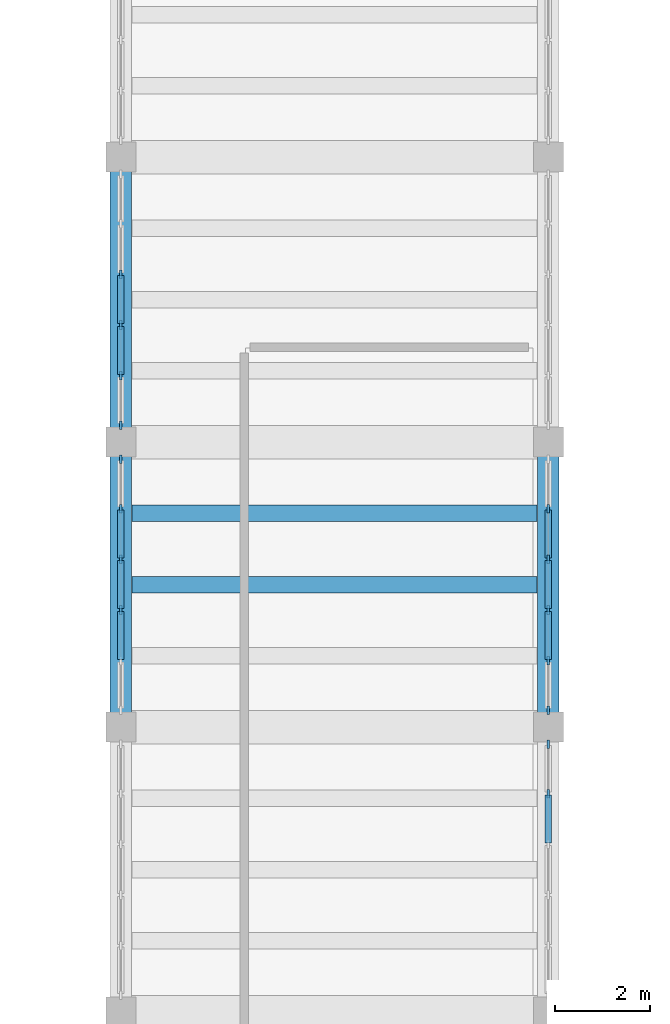
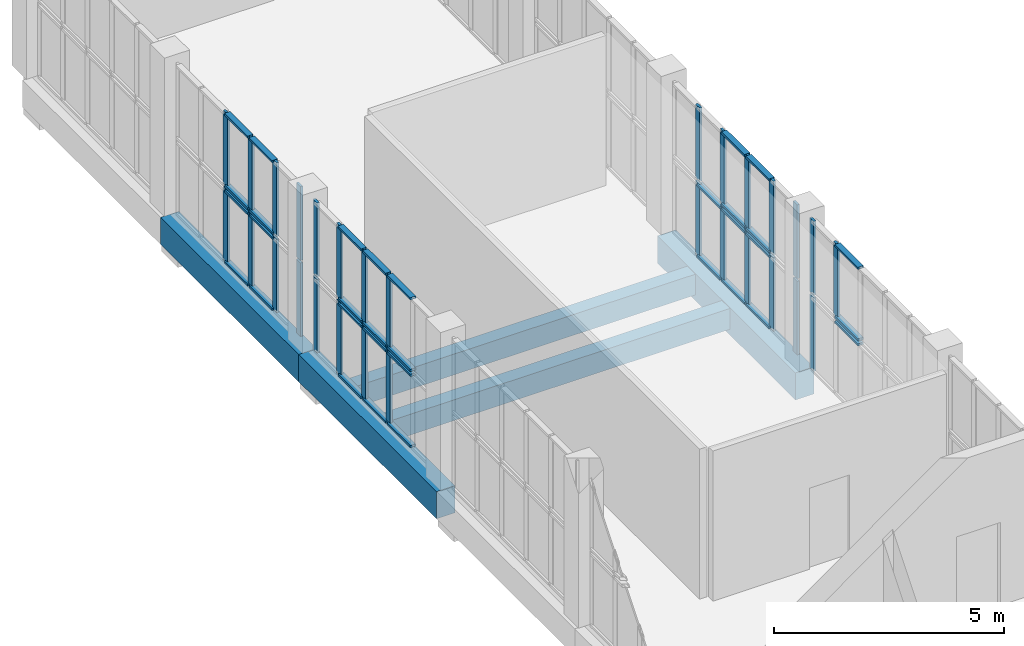
# One storey, part 6 of 85: 62 members, 5 beams, 8 elements without a shape of their own.
"""IFC4 building model written with IfcOpenShell, lengths in metres."""

from ifc_helpers import new_model, si_unit, direction, frame, origin, origin_2d, place, context, subcontext, project, spatial, rectangle, extrude, material, layer, layer_set, material_profile, profile_set, type_object, element, aggregate, save


model = new_model("IFC4")

# Units and contexts
model_context = context("Model", 3, precision=1e-05, world=origin(), true_north=direction((0.0, 1.0)))
body_context = subcontext(model_context, "Body", "Model", "MODEL_VIEW")
ifc_project = project(units=[si_unit("LENGTHUNIT", "METRE"), si_unit("AREAUNIT", "SQUARE_METRE"), si_unit("VOLUMEUNIT", "CUBIC_METRE"), si_unit("PLANEANGLEUNIT", "RADIAN"), si_unit("MASSUNIT", "GRAM", prefix="KILO")], contexts=[model_context])

# Site, building, storey
site_placement = place(None, origin())
site = spatial("IfcSite", under=ifc_project, at=site_placement, CompositionType="ELEMENT")
building_placement = place(site_placement, origin())
building = spatial("IfcBuilding", under=site, at=building_placement, Name="Solvane Community Centre", CompositionType="ELEMENT")
storey_placement = place(building_placement, frame((0.0, 0.0, 5.39990234375)))
storey = spatial("IfcBuildingStorey", under=building, at=storey_placement, Name="L01", CompositionType="ELEMENT", Elevation=5.39990234375)

# Curtain wall, member
ifc_material_1 = material(Name="Anodised bronze aluminium AW-6063 T6", Category="aluminium")
ifc_layer_1 = layer(ifc_material_1, 0.179931640625)
ifc_layer_set_1 = layer_set([ifc_layer_1], Name="Anodised bronze aluminium AW-6063 T6")
curtain_wall_type_1 = type_object("IfcCurtainWallType", Name="Hall Translucent Upper Curtain Wall [53x19dm]", PredefinedType="NOTDEFINED", material=ifc_layer_set_1)
curtain_wall_1_placement = place(storey_placement, origin())
curtain_wall_1 = element("IfcCurtainWall", 1, at=curtain_wall_1_placement, inside=storey, type_object=curtain_wall_type_1, Name="Curtain Wall CW-L01-360_543-043", PredefinedType="NOTDEFINED")
ifc_material_profile_1 = material_profile(ifc_material_1, rectangle(XDim=0.06005859375, YDim=0.179931640625, at=origin_2d()), Name="CW-M 60x180")
ifc_profile_set_1 = profile_set([ifc_material_profile_1], Name="Anodised bronze aluminium AW-6063 T6")
member_type_1 = type_object("IfcMemberType", Name="Hall Mullion 60x180", PredefinedType="MULLION", material=ifc_profile_set_1)
member_1_placement = place(storey_placement, frame((36.0, 59.639892578125, 0.0), z_axis=(0.0, 0.0, 1.0), x_axis=(-1.0, 0.0, 0.0)))
member_1 = element("IfcMember", 2, at=member_1_placement, type_object=member_type_1, Name="CW01-53x19 mullion 6", PredefinedType="MULLION", context=body_context, shape_type="SweptSolid", body=[
    extrude(rectangle(XDim=0.06005859375, YDim=0.179931640625, at=origin_2d()), origin(), (0.0, 0.0, 1.0), 1.9501953125),
])

# Curtain wall, members
ifc_layer_2 = layer(ifc_material_1, 0.179931640625)
ifc_layer_set_2 = layer_set([ifc_layer_2], Name="Anodised bronze aluminium AW-6063 T6")
curtain_wall_type_2 = type_object("IfcCurtainWallType", Name="Hall Translucent Upper Curtain Wall [53x20dm]", PredefinedType="NOTDEFINED", material=ifc_layer_set_2)
curtain_wall_2_placement = place(storey_placement, origin())
curtain_wall_2 = element("IfcCurtainWall", 3, at=curtain_wall_2_placement, inside=storey, type_object=curtain_wall_type_2, Name="Curtain Wall CW-L01-360_543-044", PredefinedType="NOTDEFINED")
member_2_placement = place(storey_placement, frame((36.0, 58.60205078125, 2.02001953125), z_axis=(0.0, 0.0, 1.0), x_axis=(-1.0, 0.0, 0.0)))
member_2 = element("IfcMember", 4, at=member_2_placement, type_object=member_type_1, Name="CW01-53x20 mullion 5", PredefinedType="MULLION", context=body_context, shape_type="SweptSolid", body=[
    extrude(rectangle(XDim=0.06005859375, YDim=0.179931640625, at=origin_2d()), origin(), (0.0, 0.0, 1.0), 1.9599609375),
])
member_3_placement = place(storey_placement, frame((36.0, 59.639892578125, 2.02001953125), z_axis=(0.0, 0.0, 1.0), x_axis=(-1.0, 0.0, 0.0)))
member_3 = element("IfcMember", 5, at=member_3_placement, type_object=member_type_1, Name="CW01-53x20 mullion 6", PredefinedType="MULLION", context=body_context, shape_type="SweptSolid", body=[
    extrude(rectangle(XDim=0.06005859375, YDim=0.179931640625, at=origin_2d()), origin(), (0.0, 0.0, 1.0), 1.9599609375),
])

curtain_wall_3_placement = place(storey_placement, origin())
curtain_wall_3 = element("IfcCurtainWall", 6, at=curtain_wall_3_placement, inside=storey, type_object=curtain_wall_type_1, Name="Curtain Wall CW-L01-360_603-049", PredefinedType="NOTDEFINED")
member_4_placement = place(storey_placement, frame((36.0, 60.360107421875, 0.0), z_axis=(0.0, 0.0, 1.0), x_axis=(-1.0, 0.0, 0.0)))
member_4 = element("IfcMember", 7, at=member_4_placement, type_object=member_type_1, Name="CW01-53x19 mullion 1", PredefinedType="MULLION", context=body_context, shape_type="SweptSolid", body=[
    extrude(rectangle(XDim=0.06005859375, YDim=0.179931640625, at=origin_2d()), origin(), (0.0, 0.0, 1.0), 1.9501953125),
])
member_5_placement = place(storey_placement, frame((36.0, 61.39794921875, 0.0), z_axis=(0.0, 0.0, 1.0), x_axis=(-1.0, 0.0, 0.0)))
member_5 = element("IfcMember", 8, at=member_5_placement, type_object=member_type_1, Name="CW01-53x19 mullion 2", PredefinedType="MULLION", context=body_context, shape_type="SweptSolid", body=[
    extrude(rectangle(XDim=0.06005859375, YDim=0.179931640625, at=origin_2d()), origin(), (0.0, 0.0, 1.0), 1.9501953125),
])
member_6_placement = place(storey_placement, frame((36.0, 62.466064453125, 0.0), z_axis=(0.0, 0.0, 1.0), x_axis=(-1.0, 0.0, 0.0)))
member_6 = element("IfcMember", 9, at=member_6_placement, type_object=member_type_1, Name="CW01-53x19 mullion 3", PredefinedType="MULLION", context=body_context, shape_type="SweptSolid", body=[
    extrude(rectangle(XDim=0.06005859375, YDim=0.179931640625, at=origin_2d()), origin(), (0.0, 0.0, 1.0), 1.9501953125),
])
member_7_placement = place(storey_placement, frame((36.0, 63.533935546875, 0.0), z_axis=(0.0, 0.0, 1.0), x_axis=(-1.0, 0.0, 0.0)))
member_7 = element("IfcMember", 10, at=member_7_placement, type_object=member_type_1, Name="CW01-53x19 mullion 4", PredefinedType="MULLION", context=body_context, shape_type="SweptSolid", body=[
    extrude(rectangle(XDim=0.06005859375, YDim=0.179931640625, at=origin_2d()), origin(), (0.0, 0.0, 1.0), 1.9501953125),
])
member_8_placement = place(storey_placement, frame((36.0, 64.60205078125, 0.0), z_axis=(0.0, 0.0, 1.0), x_axis=(-1.0, 0.0, 0.0)))
member_8 = element("IfcMember", 11, at=member_8_placement, type_object=member_type_1, Name="CW01-53x19 mullion 5", PredefinedType="MULLION", context=body_context, shape_type="SweptSolid", body=[
    extrude(rectangle(XDim=0.06005859375, YDim=0.179931640625, at=origin_2d()), origin(), (0.0, 0.0, 1.0), 1.9501953125),
])

curtain_wall_4_placement = place(storey_placement, origin())
curtain_wall_4 = element("IfcCurtainWall", 12, at=curtain_wall_4_placement, inside=storey, type_object=curtain_wall_type_2, Name="Curtain Wall CW-L01-360_603-050", PredefinedType="NOTDEFINED")
member_9_placement = place(storey_placement, frame((36.0, 60.360107421875, 2.02001953125), z_axis=(0.0, 0.0, 1.0), x_axis=(-1.0, 0.0, 0.0)))
member_9 = element("IfcMember", 13, at=member_9_placement, type_object=member_type_1, Name="CW01-53x20 mullion 1", PredefinedType="MULLION", context=body_context, shape_type="SweptSolid", body=[
    extrude(rectangle(XDim=0.06005859375, YDim=0.179931640625, at=origin_2d()), origin(), (0.0, 0.0, 1.0), 1.9599609375),
])
member_10_placement = place(storey_placement, frame((36.0, 61.39794921875, 2.02001953125), z_axis=(0.0, 0.0, 1.0), x_axis=(-1.0, 0.0, 0.0)))
member_10 = element("IfcMember", 14, at=member_10_placement, type_object=member_type_1, Name="CW01-53x20 mullion 2", PredefinedType="MULLION", context=body_context, shape_type="SweptSolid", body=[
    extrude(rectangle(XDim=0.06005859375, YDim=0.179931640625, at=origin_2d()), origin(), (0.0, 0.0, 1.0), 1.9599609375),
])
member_11_placement = place(storey_placement, frame((36.0, 62.466064453125, 2.02001953125), z_axis=(0.0, 0.0, 1.0), x_axis=(-1.0, 0.0, 0.0)))
member_11 = element("IfcMember", 15, at=member_11_placement, type_object=member_type_1, Name="CW01-53x20 mullion 3", PredefinedType="MULLION", context=body_context, shape_type="SweptSolid", body=[
    extrude(rectangle(XDim=0.06005859375, YDim=0.179931640625, at=origin_2d()), origin(), (0.0, 0.0, 1.0), 1.9599609375),
])
member_12_placement = place(storey_placement, frame((36.0, 63.533935546875, 2.02001953125), z_axis=(0.0, 0.0, 1.0), x_axis=(-1.0, 0.0, 0.0)))
member_12 = element("IfcMember", 16, at=member_12_placement, type_object=member_type_1, Name="CW01-53x20 mullion 4", PredefinedType="MULLION", context=body_context, shape_type="SweptSolid", body=[
    extrude(rectangle(XDim=0.06005859375, YDim=0.179931640625, at=origin_2d()), origin(), (0.0, 0.0, 1.0), 1.9599609375),
])
member_13_placement = place(storey_placement, frame((36.0, 64.60205078125, 2.02001953125), z_axis=(0.0, 0.0, 1.0), x_axis=(-1.0, 0.0, 0.0)))
member_13 = element("IfcMember", 17, at=member_13_placement, type_object=member_type_1, Name="CW01-53x20 mullion 5", PredefinedType="MULLION", context=body_context, shape_type="SweptSolid", body=[
    extrude(rectangle(XDim=0.06005859375, YDim=0.179931640625, at=origin_2d()), origin(), (0.0, 0.0, 1.0), 1.9599609375),
])

curtain_wall_5_placement = place(storey_placement, origin())
curtain_wall_5 = element("IfcCurtainWall", 18, at=curtain_wall_5_placement, inside=storey, type_object=curtain_wall_type_1, Name="Curtain Wall CW-L01-270_657-055", PredefinedType="NOTDEFINED")
member_14_placement = place(storey_placement, frame((27.0, 65.639892578125, 0.0), z_axis=(0.0, 0.0, 1.0), x_axis=(1.0, 0.0, 0.0)))
member_14 = element("IfcMember", 19, at=member_14_placement, type_object=member_type_1, Name="CW01-53x19 mullion 1", PredefinedType="MULLION", context=body_context, shape_type="SweptSolid", body=[
    extrude(rectangle(XDim=0.06005859375, YDim=0.179931640625, at=origin_2d()), origin(), (0.0, 0.0, 1.0), 1.9501953125),
])
member_15_placement = place(storey_placement, frame((27.0, 64.60205078125, 0.0), z_axis=(0.0, 0.0, 1.0), x_axis=(1.0, 0.0, 0.0)))
member_15 = element("IfcMember", 20, at=member_15_placement, type_object=member_type_1, Name="CW01-53x19 mullion 2", PredefinedType="MULLION", context=body_context, shape_type="SweptSolid", body=[
    extrude(rectangle(XDim=0.06005859375, YDim=0.179931640625, at=origin_2d()), origin(), (0.0, 0.0, 1.0), 1.9501953125),
])
member_16_placement = place(storey_placement, frame((27.0, 63.533935546875, 0.0), z_axis=(0.0, 0.0, 1.0), x_axis=(1.0, 0.0, 0.0)))
member_16 = element("IfcMember", 21, at=member_16_placement, type_object=member_type_1, Name="CW01-53x19 mullion 3", PredefinedType="MULLION", context=body_context, shape_type="SweptSolid", body=[
    extrude(rectangle(XDim=0.06005859375, YDim=0.179931640625, at=origin_2d()), origin(), (0.0, 0.0, 1.0), 1.9501953125),
])
member_17_placement = place(storey_placement, frame((27.0, 62.466064453125, 0.0), z_axis=(0.0, 0.0, 1.0), x_axis=(1.0, 0.0, 0.0)))
member_17 = element("IfcMember", 22, at=member_17_placement, type_object=member_type_1, Name="CW01-53x19 mullion 4", PredefinedType="MULLION", context=body_context, shape_type="SweptSolid", body=[
    extrude(rectangle(XDim=0.06005859375, YDim=0.179931640625, at=origin_2d()), origin(), (0.0, 0.0, 1.0), 1.9501953125),
])

curtain_wall_6_placement = place(storey_placement, origin())
curtain_wall_6 = element("IfcCurtainWall", 23, at=curtain_wall_6_placement, inside=storey, type_object=curtain_wall_type_2, Name="Curtain Wall CW-L01-270_657-056", PredefinedType="NOTDEFINED")
member_18_placement = place(storey_placement, frame((27.0, 65.639892578125, 2.02001953125), z_axis=(0.0, 0.0, 1.0), x_axis=(1.0, 0.0, 0.0)))
member_18 = element("IfcMember", 24, at=member_18_placement, type_object=member_type_1, Name="CW01-53x20 mullion 1", PredefinedType="MULLION", context=body_context, shape_type="SweptSolid", body=[
    extrude(rectangle(XDim=0.06005859375, YDim=0.179931640625, at=origin_2d()), origin(), (0.0, 0.0, 1.0), 1.9599609375),
])
member_19_placement = place(storey_placement, frame((27.0, 64.60205078125, 2.02001953125), z_axis=(0.0, 0.0, 1.0), x_axis=(1.0, 0.0, 0.0)))
member_19 = element("IfcMember", 25, at=member_19_placement, type_object=member_type_1, Name="CW01-53x20 mullion 2", PredefinedType="MULLION", context=body_context, shape_type="SweptSolid", body=[
    extrude(rectangle(XDim=0.06005859375, YDim=0.179931640625, at=origin_2d()), origin(), (0.0, 0.0, 1.0), 1.9599609375),
])
member_20_placement = place(storey_placement, frame((27.0, 63.533935546875, 2.02001953125), z_axis=(0.0, 0.0, 1.0), x_axis=(1.0, 0.0, 0.0)))
member_20 = element("IfcMember", 26, at=member_20_placement, type_object=member_type_1, Name="CW01-53x20 mullion 3", PredefinedType="MULLION", context=body_context, shape_type="SweptSolid", body=[
    extrude(rectangle(XDim=0.06005859375, YDim=0.179931640625, at=origin_2d()), origin(), (0.0, 0.0, 1.0), 1.9599609375),
])
member_21_placement = place(storey_placement, frame((27.0, 62.466064453125, 2.02001953125), z_axis=(0.0, 0.0, 1.0), x_axis=(1.0, 0.0, 0.0)))
member_21 = element("IfcMember", 27, at=member_21_placement, type_object=member_type_1, Name="CW01-53x20 mullion 4", PredefinedType="MULLION", context=body_context, shape_type="SweptSolid", body=[
    extrude(rectangle(XDim=0.06005859375, YDim=0.179931640625, at=origin_2d()), origin(), (0.0, 0.0, 1.0), 1.9599609375),
])

curtain_wall_7_placement = place(storey_placement, origin())
curtain_wall_7 = element("IfcCurtainWall", 28, at=curtain_wall_7_placement, inside=storey, type_object=curtain_wall_type_1, Name="Curtain Wall CW-L01-270_717-063", PredefinedType="NOTDEFINED")
member_22_placement = place(storey_placement, frame((27.0, 69.533935546875, 0.0), z_axis=(0.0, 0.0, 1.0), x_axis=(1.0, 0.0, 0.0)))
member_22 = element("IfcMember", 29, at=member_22_placement, type_object=member_type_1, Name="CW01-53x19 mullion 3", PredefinedType="MULLION", context=body_context, shape_type="SweptSolid", body=[
    extrude(rectangle(XDim=0.06005859375, YDim=0.179931640625, at=origin_2d()), origin(), (0.0, 0.0, 1.0), 1.9501953125),
])
member_23_placement = place(storey_placement, frame((27.0, 68.466064453125, 0.0), z_axis=(0.0, 0.0, 1.0), x_axis=(1.0, 0.0, 0.0)))
member_23 = element("IfcMember", 30, at=member_23_placement, type_object=member_type_1, Name="CW01-53x19 mullion 4", PredefinedType="MULLION", context=body_context, shape_type="SweptSolid", body=[
    extrude(rectangle(XDim=0.06005859375, YDim=0.179931640625, at=origin_2d()), origin(), (0.0, 0.0, 1.0), 1.9501953125),
])
member_24_placement = place(storey_placement, frame((27.0, 67.39794921875, 0.0), z_axis=(0.0, 0.0, 1.0), x_axis=(1.0, 0.0, 0.0)))
member_24 = element("IfcMember", 31, at=member_24_placement, type_object=member_type_1, Name="CW01-53x19 mullion 5", PredefinedType="MULLION", context=body_context, shape_type="SweptSolid", body=[
    extrude(rectangle(XDim=0.06005859375, YDim=0.179931640625, at=origin_2d()), origin(), (0.0, 0.0, 1.0), 1.9501953125),
])
member_25_placement = place(storey_placement, frame((27.0, 66.360107421875, 0.0), z_axis=(0.0, 0.0, 1.0), x_axis=(1.0, 0.0, 0.0)))
member_25 = element("IfcMember", 32, at=member_25_placement, type_object=member_type_1, Name="CW01-53x19 mullion 6", PredefinedType="MULLION", context=body_context, shape_type="SweptSolid", body=[
    extrude(rectangle(XDim=0.06005859375, YDim=0.179931640625, at=origin_2d()), origin(), (0.0, 0.0, 1.0), 1.9501953125),
])

curtain_wall_8_placement = place(storey_placement, origin())
curtain_wall_8 = element("IfcCurtainWall", 33, at=curtain_wall_8_placement, inside=storey, type_object=curtain_wall_type_2, Name="Curtain Wall CW-L01-270_717-064", PredefinedType="NOTDEFINED")
member_26_placement = place(storey_placement, frame((27.0, 69.533935546875, 2.02001953125), z_axis=(0.0, 0.0, 1.0), x_axis=(1.0, 0.0, 0.0)))
member_26 = element("IfcMember", 34, at=member_26_placement, type_object=member_type_1, Name="CW01-53x20 mullion 3", PredefinedType="MULLION", context=body_context, shape_type="SweptSolid", body=[
    extrude(rectangle(XDim=0.06005859375, YDim=0.179931640625, at=origin_2d()), origin(), (0.0, 0.0, 1.0), 1.9599609375),
])
member_27_placement = place(storey_placement, frame((27.0, 68.466064453125, 2.02001953125), z_axis=(0.0, 0.0, 1.0), x_axis=(1.0, 0.0, 0.0)))
member_27 = element("IfcMember", 35, at=member_27_placement, type_object=member_type_1, Name="CW01-53x20 mullion 4", PredefinedType="MULLION", context=body_context, shape_type="SweptSolid", body=[
    extrude(rectangle(XDim=0.06005859375, YDim=0.179931640625, at=origin_2d()), origin(), (0.0, 0.0, 1.0), 1.9599609375),
])
member_28_placement = place(storey_placement, frame((27.0, 67.39794921875, 2.02001953125), z_axis=(0.0, 0.0, 1.0), x_axis=(1.0, 0.0, 0.0)))
member_28 = element("IfcMember", 36, at=member_28_placement, type_object=member_type_1, Name="CW01-53x20 mullion 5", PredefinedType="MULLION", context=body_context, shape_type="SweptSolid", body=[
    extrude(rectangle(XDim=0.06005859375, YDim=0.179931640625, at=origin_2d()), origin(), (0.0, 0.0, 1.0), 1.9599609375),
])
member_29_placement = place(storey_placement, frame((27.0, 66.360107421875, 2.02001953125), z_axis=(0.0, 0.0, 1.0), x_axis=(1.0, 0.0, 0.0)))
member_29 = element("IfcMember", 37, at=member_29_placement, type_object=member_type_1, Name="CW01-53x20 mullion 6", PredefinedType="MULLION", context=body_context, shape_type="SweptSolid", body=[
    extrude(rectangle(XDim=0.06005859375, YDim=0.179931640625, at=origin_2d()), origin(), (0.0, 0.0, 1.0), 1.9599609375),
])

# Member
ifc_material_profile_2 = material_profile(ifc_material_1, rectangle(XDim=0.139892578125, YDim=0.06005859375, at=origin_2d()), Name="CW-T 60x140")
ifc_profile_set_2 = profile_set([ifc_material_profile_2], Name="Anodised bronze aluminium AW-6063 T6")
member_type_2 = type_object("IfcMemberType", Name="Hall Transom 60x140", PredefinedType="USERDEFINED", material=ifc_profile_set_2)
member_30_placement = place(storey_placement, frame((36.0, 57.56396484375, 1.920166015625), z_axis=(0.0, 1.0, 0.0), x_axis=(-1.0, 0.0, 0.0)))
member_30 = element("IfcMember", 38, at=member_30_placement, type_object=member_type_2, Name="CW01-53x19 transom 4.2", ObjectType="TRANSOM", PredefinedType="USERDEFINED", context=body_context, shape_type="SweptSolid", body=[
    extrude(rectangle(XDim=0.139892578125, YDim=0.06005859375, at=origin_2d()), origin(), (0.0, 0.0, 1.0), 1.008056640625),
])

aggregate(curtain_wall_1, [member_1, member_30])

member_31_placement = place(storey_placement, frame((36.0, 57.56396484375, 2.050048828125), z_axis=(0.0, 1.0, 0.0), x_axis=(-1.0, 0.0, 0.0)))
member_31 = element("IfcMember", 39, at=member_31_placement, type_object=member_type_2, Name="CW01-53x20 transom 4.1", ObjectType="TRANSOM", PredefinedType="USERDEFINED", context=body_context, shape_type="SweptSolid", body=[
    extrude(rectangle(XDim=0.139892578125, YDim=0.06005859375, at=origin_2d()), origin(), (0.0, 0.0, 1.0), 1.008056640625),
])

member_32_placement = place(storey_placement, frame((36.0, 57.56396484375, 3.9501953125), z_axis=(0.0, 1.0, 0.0), x_axis=(-1.0, 0.0, 0.0)))
member_32 = element("IfcMember", 40, at=member_32_placement, type_object=member_type_2, Name="CW01-53x20 transom 4.2", ObjectType="TRANSOM", PredefinedType="USERDEFINED", context=body_context, shape_type="SweptSolid", body=[
    extrude(rectangle(XDim=0.139892578125, YDim=0.06005859375, at=origin_2d()), origin(), (0.0, 0.0, 1.0), 1.008056640625),
])

aggregate(curtain_wall_2, [member_2, member_3, member_31, member_32])

member_33_placement = place(storey_placement, frame((36.0, 61.427978515625, 0.030029296875), z_axis=(0.0, 1.0, 0.0), x_axis=(-1.0, 0.0, 0.0)))
member_33 = element("IfcMember", 41, at=member_33_placement, type_object=member_type_2, Name="CW01-53x19 transom 2.1", ObjectType="TRANSOM", PredefinedType="USERDEFINED", context=body_context, shape_type="SweptSolid", body=[
    extrude(rectangle(XDim=0.139892578125, YDim=0.06005859375, at=origin_2d()), origin(), (0.0, 0.0, 1.0), 1.008056640625),
])

member_34_placement = place(storey_placement, frame((36.0, 61.427978515625, 1.920166015625), z_axis=(0.0, 1.0, 0.0), x_axis=(-1.0, 0.0, 0.0)))
member_34 = element("IfcMember", 42, at=member_34_placement, type_object=member_type_2, Name="CW01-53x19 transom 2.2", ObjectType="TRANSOM", PredefinedType="USERDEFINED", context=body_context, shape_type="SweptSolid", body=[
    extrude(rectangle(XDim=0.139892578125, YDim=0.06005859375, at=origin_2d()), origin(), (0.0, 0.0, 1.0), 1.008056640625),
])

member_35_placement = place(storey_placement, frame((36.0, 62.49609375, 0.030029296875), z_axis=(0.0, 1.0, 0.0), x_axis=(-1.0, 0.0, 0.0)))
member_35 = element("IfcMember", 43, at=member_35_placement, type_object=member_type_2, Name="CW01-53x19 transom 3.1", ObjectType="TRANSOM", PredefinedType="USERDEFINED", context=body_context, shape_type="SweptSolid", body=[
    extrude(rectangle(XDim=0.139892578125, YDim=0.06005859375, at=origin_2d()), origin(), (0.0, 0.0, 1.0), 1.0078125),
])

member_36_placement = place(storey_placement, frame((36.0, 62.49609375, 1.920166015625), z_axis=(0.0, 1.0, 0.0), x_axis=(-1.0, 0.0, 0.0)))
member_36 = element("IfcMember", 44, at=member_36_placement, type_object=member_type_2, Name="CW01-53x19 transom 3.2", ObjectType="TRANSOM", PredefinedType="USERDEFINED", context=body_context, shape_type="SweptSolid", body=[
    extrude(rectangle(XDim=0.139892578125, YDim=0.06005859375, at=origin_2d()), origin(), (0.0, 0.0, 1.0), 1.0078125),
])

member_37_placement = place(storey_placement, frame((36.0, 63.56396484375, 0.030029296875), z_axis=(0.0, 1.0, 0.0), x_axis=(-1.0, 0.0, 0.0)))
member_37 = element("IfcMember", 45, at=member_37_placement, type_object=member_type_2, Name="CW01-53x19 transom 4.1", ObjectType="TRANSOM", PredefinedType="USERDEFINED", context=body_context, shape_type="SweptSolid", body=[
    extrude(rectangle(XDim=0.139892578125, YDim=0.06005859375, at=origin_2d()), origin(), (0.0, 0.0, 1.0), 1.008056640625),
])

member_38_placement = place(storey_placement, frame((36.0, 63.56396484375, 1.920166015625), z_axis=(0.0, 1.0, 0.0), x_axis=(-1.0, 0.0, 0.0)))
member_38 = element("IfcMember", 46, at=member_38_placement, type_object=member_type_2, Name="CW01-53x19 transom 4.2", ObjectType="TRANSOM", PredefinedType="USERDEFINED", context=body_context, shape_type="SweptSolid", body=[
    extrude(rectangle(XDim=0.139892578125, YDim=0.06005859375, at=origin_2d()), origin(), (0.0, 0.0, 1.0), 1.008056640625),
])

aggregate(curtain_wall_3, [member_4, member_5, member_6, member_7, member_8, member_33, member_34, member_35, member_36, member_37, member_38])

member_39_placement = place(storey_placement, frame((36.0, 61.427978515625, 2.050048828125), z_axis=(0.0, 1.0, 0.0), x_axis=(-1.0, 0.0, 0.0)))
member_39 = element("IfcMember", 47, at=member_39_placement, type_object=member_type_2, Name="CW01-53x20 transom 2.1", ObjectType="TRANSOM", PredefinedType="USERDEFINED", context=body_context, shape_type="SweptSolid", body=[
    extrude(rectangle(XDim=0.139892578125, YDim=0.06005859375, at=origin_2d()), origin(), (0.0, 0.0, 1.0), 1.008056640625),
])

member_40_placement = place(storey_placement, frame((36.0, 61.427978515625, 3.9501953125), z_axis=(0.0, 1.0, 0.0), x_axis=(-1.0, 0.0, 0.0)))
member_40 = element("IfcMember", 48, at=member_40_placement, type_object=member_type_2, Name="CW01-53x20 transom 2.2", ObjectType="TRANSOM", PredefinedType="USERDEFINED", context=body_context, shape_type="SweptSolid", body=[
    extrude(rectangle(XDim=0.139892578125, YDim=0.06005859375, at=origin_2d()), origin(), (0.0, 0.0, 1.0), 1.008056640625),
])

member_41_placement = place(storey_placement, frame((36.0, 62.49609375, 2.050048828125), z_axis=(0.0, 1.0, 0.0), x_axis=(-1.0, 0.0, 0.0)))
member_41 = element("IfcMember", 49, at=member_41_placement, type_object=member_type_2, Name="CW01-53x20 transom 3.1", ObjectType="TRANSOM", PredefinedType="USERDEFINED", context=body_context, shape_type="SweptSolid", body=[
    extrude(rectangle(XDim=0.139892578125, YDim=0.06005859375, at=origin_2d()), origin(), (0.0, 0.0, 1.0), 1.0078125),
])

member_42_placement = place(storey_placement, frame((36.0, 62.49609375, 3.9501953125), z_axis=(0.0, 1.0, 0.0), x_axis=(-1.0, 0.0, 0.0)))
member_42 = element("IfcMember", 50, at=member_42_placement, type_object=member_type_2, Name="CW01-53x20 transom 3.2", ObjectType="TRANSOM", PredefinedType="USERDEFINED", context=body_context, shape_type="SweptSolid", body=[
    extrude(rectangle(XDim=0.139892578125, YDim=0.06005859375, at=origin_2d()), origin(), (0.0, 0.0, 1.0), 1.0078125),
])

aggregate(curtain_wall_4, [member_9, member_10, member_11, member_12, member_13, member_39, member_40, member_41, member_42])

member_43_placement = place(storey_placement, frame((27.0, 64.572021484375, 0.030029296875), z_axis=(0.0, -1.0, 0.0), x_axis=(1.0, 0.0, 0.0)))
member_43 = element("IfcMember", 51, at=member_43_placement, type_object=member_type_2, Name="CW01-53x19 transom 2.1", ObjectType="TRANSOM", PredefinedType="USERDEFINED", context=body_context, shape_type="SweptSolid", body=[
    extrude(rectangle(XDim=0.139892578125, YDim=0.06005859375, at=origin_2d()), origin(), (0.0, 0.0, 1.0), 1.008056640625),
])

member_44_placement = place(storey_placement, frame((27.0, 64.572021484375, 1.920166015625), z_axis=(0.0, -1.0, 0.0), x_axis=(1.0, 0.0, 0.0)))
member_44 = element("IfcMember", 52, at=member_44_placement, type_object=member_type_2, Name="CW01-53x19 transom 2.2", ObjectType="TRANSOM", PredefinedType="USERDEFINED", context=body_context, shape_type="SweptSolid", body=[
    extrude(rectangle(XDim=0.139892578125, YDim=0.06005859375, at=origin_2d()), origin(), (0.0, 0.0, 1.0), 1.008056640625),
])

member_45_placement = place(storey_placement, frame((27.0, 63.50390625, 0.030029296875), z_axis=(0.0, -1.0, 0.0), x_axis=(1.0, 0.0, 0.0)))
member_45 = element("IfcMember", 53, at=member_45_placement, type_object=member_type_2, Name="CW01-53x19 transom 3.1", ObjectType="TRANSOM", PredefinedType="USERDEFINED", context=body_context, shape_type="SweptSolid", body=[
    extrude(rectangle(XDim=0.139892578125, YDim=0.06005859375, at=origin_2d()), origin(), (0.0, 0.0, 1.0), 1.0078125),
])

member_46_placement = place(storey_placement, frame((27.0, 63.50390625, 1.920166015625), z_axis=(0.0, -1.0, 0.0), x_axis=(1.0, 0.0, 0.0)))
member_46 = element("IfcMember", 54, at=member_46_placement, type_object=member_type_2, Name="CW01-53x19 transom 3.2", ObjectType="TRANSOM", PredefinedType="USERDEFINED", context=body_context, shape_type="SweptSolid", body=[
    extrude(rectangle(XDim=0.139892578125, YDim=0.06005859375, at=origin_2d()), origin(), (0.0, 0.0, 1.0), 1.0078125),
])

member_47_placement = place(storey_placement, frame((27.0, 62.43603515625, 0.030029296875), z_axis=(0.0, -1.0, 0.0), x_axis=(1.0, 0.0, 0.0)))
member_47 = element("IfcMember", 55, at=member_47_placement, type_object=member_type_2, Name="CW01-53x19 transom 4.1", ObjectType="TRANSOM", PredefinedType="USERDEFINED", context=body_context, shape_type="SweptSolid", body=[
    extrude(rectangle(XDim=0.139892578125, YDim=0.06005859375, at=origin_2d()), origin(), (0.0, 0.0, 1.0), 1.008056640625),
])

member_48_placement = place(storey_placement, frame((27.0, 62.43603515625, 1.920166015625), z_axis=(0.0, -1.0, 0.0), x_axis=(1.0, 0.0, 0.0)))
member_48 = element("IfcMember", 56, at=member_48_placement, type_object=member_type_2, Name="CW01-53x19 transom 4.2", ObjectType="TRANSOM", PredefinedType="USERDEFINED", context=body_context, shape_type="SweptSolid", body=[
    extrude(rectangle(XDim=0.139892578125, YDim=0.06005859375, at=origin_2d()), origin(), (0.0, 0.0, 1.0), 1.008056640625),
])

aggregate(curtain_wall_5, [member_14, member_15, member_16, member_17, member_43, member_44, member_45, member_46, member_47, member_48])

member_49_placement = place(storey_placement, frame((27.0, 64.572021484375, 2.050048828125), z_axis=(0.0, -1.0, 0.0), x_axis=(1.0, 0.0, 0.0)))
member_49 = element("IfcMember", 57, at=member_49_placement, type_object=member_type_2, Name="CW01-53x20 transom 2.1", ObjectType="TRANSOM", PredefinedType="USERDEFINED", context=body_context, shape_type="SweptSolid", body=[
    extrude(rectangle(XDim=0.139892578125, YDim=0.06005859375, at=origin_2d()), origin(), (0.0, 0.0, 1.0), 1.008056640625),
])

member_50_placement = place(storey_placement, frame((27.0, 64.572021484375, 3.9501953125), z_axis=(0.0, -1.0, 0.0), x_axis=(1.0, 0.0, 0.0)))
member_50 = element("IfcMember", 58, at=member_50_placement, type_object=member_type_2, Name="CW01-53x20 transom 2.2", ObjectType="TRANSOM", PredefinedType="USERDEFINED", context=body_context, shape_type="SweptSolid", body=[
    extrude(rectangle(XDim=0.139892578125, YDim=0.06005859375, at=origin_2d()), origin(), (0.0, 0.0, 1.0), 1.008056640625),
])

member_51_placement = place(storey_placement, frame((27.0, 63.50390625, 2.050048828125), z_axis=(0.0, -1.0, 0.0), x_axis=(1.0, 0.0, 0.0)))
member_51 = element("IfcMember", 59, at=member_51_placement, type_object=member_type_2, Name="CW01-53x20 transom 3.1", ObjectType="TRANSOM", PredefinedType="USERDEFINED", context=body_context, shape_type="SweptSolid", body=[
    extrude(rectangle(XDim=0.139892578125, YDim=0.06005859375, at=origin_2d()), origin(), (0.0, 0.0, 1.0), 1.0078125),
])

member_52_placement = place(storey_placement, frame((27.0, 63.50390625, 3.9501953125), z_axis=(0.0, -1.0, 0.0), x_axis=(1.0, 0.0, 0.0)))
member_52 = element("IfcMember", 60, at=member_52_placement, type_object=member_type_2, Name="CW01-53x20 transom 3.2", ObjectType="TRANSOM", PredefinedType="USERDEFINED", context=body_context, shape_type="SweptSolid", body=[
    extrude(rectangle(XDim=0.139892578125, YDim=0.06005859375, at=origin_2d()), origin(), (0.0, 0.0, 1.0), 1.0078125),
])

member_53_placement = place(storey_placement, frame((27.0, 62.43603515625, 2.050048828125), z_axis=(0.0, -1.0, 0.0), x_axis=(1.0, 0.0, 0.0)))
member_53 = element("IfcMember", 61, at=member_53_placement, type_object=member_type_2, Name="CW01-53x20 transom 4.1", ObjectType="TRANSOM", PredefinedType="USERDEFINED", context=body_context, shape_type="SweptSolid", body=[
    extrude(rectangle(XDim=0.139892578125, YDim=0.06005859375, at=origin_2d()), origin(), (0.0, 0.0, 1.0), 1.008056640625),
])

member_54_placement = place(storey_placement, frame((27.0, 62.43603515625, 3.9501953125), z_axis=(0.0, -1.0, 0.0), x_axis=(1.0, 0.0, 0.0)))
member_54 = element("IfcMember", 62, at=member_54_placement, type_object=member_type_2, Name="CW01-53x20 transom 4.2", ObjectType="TRANSOM", PredefinedType="USERDEFINED", context=body_context, shape_type="SweptSolid", body=[
    extrude(rectangle(XDim=0.139892578125, YDim=0.06005859375, at=origin_2d()), origin(), (0.0, 0.0, 1.0), 1.008056640625),
])

aggregate(curtain_wall_6, [member_18, member_19, member_20, member_21, member_49, member_50, member_51, member_52, member_53, member_54])

member_55_placement = place(storey_placement, frame((27.0, 69.50390625, 0.030029296875), z_axis=(0.0, -1.0, 0.0), x_axis=(1.0, 0.0, 0.0)))
member_55 = element("IfcMember", 63, at=member_55_placement, type_object=member_type_2, Name="CW01-53x19 transom 3.1", ObjectType="TRANSOM", PredefinedType="USERDEFINED", context=body_context, shape_type="SweptSolid", body=[
    extrude(rectangle(XDim=0.139892578125, YDim=0.06005859375, at=origin_2d()), origin(), (0.0, 0.0, 1.0), 1.0078125),
])

member_56_placement = place(storey_placement, frame((27.0, 69.50390625, 1.920166015625), z_axis=(0.0, -1.0, 0.0), x_axis=(1.0, 0.0, 0.0)))
member_56 = element("IfcMember", 64, at=member_56_placement, type_object=member_type_2, Name="CW01-53x19 transom 3.2", ObjectType="TRANSOM", PredefinedType="USERDEFINED", context=body_context, shape_type="SweptSolid", body=[
    extrude(rectangle(XDim=0.139892578125, YDim=0.06005859375, at=origin_2d()), origin(), (0.0, 0.0, 1.0), 1.0078125),
])

member_57_placement = place(storey_placement, frame((27.0, 68.43603515625, 0.030029296875), z_axis=(0.0, -1.0, 0.0), x_axis=(1.0, 0.0, 0.0)))
member_57 = element("IfcMember", 65, at=member_57_placement, type_object=member_type_2, Name="CW01-53x19 transom 4.1", ObjectType="TRANSOM", PredefinedType="USERDEFINED", context=body_context, shape_type="SweptSolid", body=[
    extrude(rectangle(XDim=0.139892578125, YDim=0.06005859375, at=origin_2d()), origin(), (0.0, 0.0, 1.0), 1.008056640625),
])

member_58_placement = place(storey_placement, frame((27.0, 68.43603515625, 1.920166015625), z_axis=(0.0, -1.0, 0.0), x_axis=(1.0, 0.0, 0.0)))
member_58 = element("IfcMember", 66, at=member_58_placement, type_object=member_type_2, Name="CW01-53x19 transom 4.2", ObjectType="TRANSOM", PredefinedType="USERDEFINED", context=body_context, shape_type="SweptSolid", body=[
    extrude(rectangle(XDim=0.139892578125, YDim=0.06005859375, at=origin_2d()), origin(), (0.0, 0.0, 1.0), 1.008056640625),
])

aggregate(curtain_wall_7, [member_22, member_23, member_24, member_25, member_55, member_56, member_57, member_58])

member_59_placement = place(storey_placement, frame((27.0, 69.50390625, 2.050048828125), z_axis=(0.0, -1.0, 0.0), x_axis=(1.0, 0.0, 0.0)))
member_59 = element("IfcMember", 67, at=member_59_placement, type_object=member_type_2, Name="CW01-53x20 transom 3.1", ObjectType="TRANSOM", PredefinedType="USERDEFINED", context=body_context, shape_type="SweptSolid", body=[
    extrude(rectangle(XDim=0.139892578125, YDim=0.06005859375, at=origin_2d()), origin(), (0.0, 0.0, 1.0), 1.0078125),
])

member_60_placement = place(storey_placement, frame((27.0, 69.50390625, 3.9501953125), z_axis=(0.0, -1.0, 0.0), x_axis=(1.0, 0.0, 0.0)))
member_60 = element("IfcMember", 68, at=member_60_placement, type_object=member_type_2, Name="CW01-53x20 transom 3.2", ObjectType="TRANSOM", PredefinedType="USERDEFINED", context=body_context, shape_type="SweptSolid", body=[
    extrude(rectangle(XDim=0.139892578125, YDim=0.06005859375, at=origin_2d()), origin(), (0.0, 0.0, 1.0), 1.0078125),
])

member_61_placement = place(storey_placement, frame((27.0, 68.43603515625, 2.050048828125), z_axis=(0.0, -1.0, 0.0), x_axis=(1.0, 0.0, 0.0)))
member_61 = element("IfcMember", 69, at=member_61_placement, type_object=member_type_2, Name="CW01-53x20 transom 4.1", ObjectType="TRANSOM", PredefinedType="USERDEFINED", context=body_context, shape_type="SweptSolid", body=[
    extrude(rectangle(XDim=0.139892578125, YDim=0.06005859375, at=origin_2d()), origin(), (0.0, 0.0, 1.0), 1.008056640625),
])

member_62_placement = place(storey_placement, frame((27.0, 68.43603515625, 3.9501953125), z_axis=(0.0, -1.0, 0.0), x_axis=(1.0, 0.0, 0.0)))
member_62 = element("IfcMember", 70, at=member_62_placement, type_object=member_type_2, Name="CW01-53x20 transom 4.2", ObjectType="TRANSOM", PredefinedType="USERDEFINED", context=body_context, shape_type="SweptSolid", body=[
    extrude(rectangle(XDim=0.139892578125, YDim=0.06005859375, at=origin_2d()), origin(), (0.0, 0.0, 1.0), 1.008056640625),
])

aggregate(curtain_wall_8, [member_26, member_27, member_28, member_29, member_59, member_60, member_61, member_62])

# Beams
ifc_material_2 = material(Name="Concrete C35/45", Category="concrete")
ifc_material_profile_3 = material_profile(ifc_material_2, rectangle(XDim=0.4599609375, YDim=0.719970703125, at=origin_2d()), Name="RC 460x720")
ifc_profile_set_3 = profile_set([ifc_material_profile_3], Name="Concrete C35/45")
beam_type_1 = type_object("IfcBeamType", Name="RC Cloister Beam 460x720", PredefinedType="BEAM", material=ifc_profile_set_3)
for number, where, z_axis, x_axis, name in (
    (71, (27.0, 60.0, -0.599853515625), (0.0, 1.0, 0.0), (-1.0, 0.0, 0.0), "Beam BM-L01-270_600-270_660"),
    (72, (27.0, 66.0, -0.599853515625), (0.0, 1.0, 0.0), (-1.0, 0.0, 0.0), "Beam BM-L01-270_660-270_720"),
    (73, (36.0, 60.0, -0.599853515625), (0.0, 1.0, 0.0), (-1.0, 0.0, 0.0), "Beam BM-L01-360_600-360_660"),
):
    element("IfcBeam", number, at=place(storey_placement, frame(where, z_axis=z_axis, x_axis=x_axis)), inside=storey, type_object=beam_type_1, Name=name, PredefinedType="BEAM", context=body_context, shape_type="SweptSolid", body=[
        extrude(rectangle(XDim=0.4599609375, YDim=0.719970703125, at=origin_2d()), origin(), (0.0, 0.0, 1.0), 6.0),
    ])
ifc_material_profile_4 = material_profile(ifc_material_2, rectangle(XDim=0.35009765625, YDim=0.550048828125, at=origin_2d()), Name="RC 350x550")
ifc_profile_set_4 = profile_set([ifc_material_profile_4], Name="Concrete C35/45")
beam_type_2 = type_object("IfcBeamType", Name="RC Secondary Joist 350x550", PredefinedType="JOIST", material=ifc_profile_set_4)
for number, where, z_axis, x_axis, name in (
    (74, (27.239990234375, 63.0, -0.514892578125), (1.0, 0.0, 0.0), (0.0, 1.0, 0.0), "Beam BM-L01-272_630-358_630"),
    (75, (27.239990234375, 64.5, -0.514892578125), (1.0, 0.0, 0.0), (0.0, 1.0, 0.0), "Beam BM-L01-272_645-358_645"),
):
    element("IfcBeam", number, at=place(storey_placement, frame(where, z_axis=z_axis, x_axis=x_axis)), inside=storey, type_object=beam_type_2, Name=name, PredefinedType="JOIST", context=body_context, shape_type="SweptSolid", body=[
        extrude(rectangle(XDim=0.35009765625, YDim=0.550048828125, at=origin_2d()), origin(), (0.0, 0.0, 1.0), 8.52001953125),
    ])

save(model, "model.ifc")
